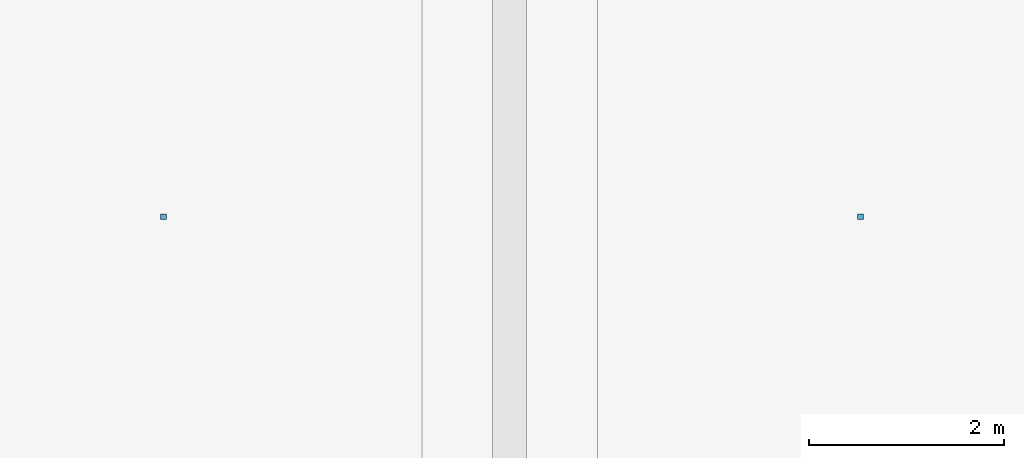
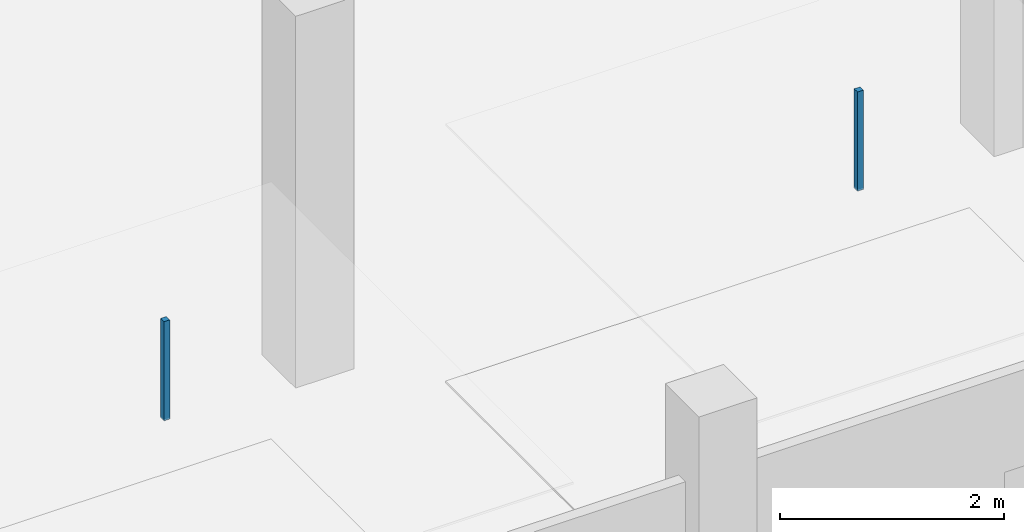
# One storey, part 94 of 108: 2 discrete accessories.
"""IFC4 building model written with IfcOpenShell, lengths in metres."""

import ifcopenshell
import ifcopenshell.guid

model = None  # the IFC model being written
_history = None  # IfcOwnerHistory: only IFC2X3 demands one
_inside = {}  # id of a spatial element -> (the spatial element, [elements in it])
_under = {}  # id of a project, library or spatial element -> (it, [spatial elements below it])
_declared = {}  # id of a project -> (the project, [libraries it declares])
_typed = {}  # id of a type object -> (the type object, [elements of that type])
_made_of = {}  # id of a material, layer set ... -> (it, [elements and type objects made of it])


def new_model(schema):
    """Start an empty IFC model of exactly this schema.

    Asked for "IFC4X3", IfcOpenShell would pick the latest addendum, in which some entities
    have other attributes; the version numbers below select the first issue.
    IFC2X3 requires an IfcOwnerHistory on every rooted entity: one is made here for all.
    """
    global model, _history
    if schema == "IFC4X3":
        model = ifcopenshell.file(schema_version=(4, 3, 0, 0))
    else:
        model = ifcopenshell.file(schema=schema)
    _inside.clear()
    _under.clear()
    _declared.clear()
    _typed.clear()
    _made_of.clear()
    _history = None
    if model.schema == "IFC2X3":
        org = make("IfcOrganization", Name="unknown")
        user = make(
            "IfcPersonAndOrganization",
            ThePerson=make("IfcPerson", FamilyName="unknown"),
            TheOrganization=org,
        )
        app = make(
            "IfcApplication",
            ApplicationDeveloper=org,
            Version="unknown",
            ApplicationFullName="unknown",
            ApplicationIdentifier="unknown",
        )
        _history = make(
            "IfcOwnerHistory",
            OwningUser=user,
            OwningApplication=app,
            ChangeAction="ADDED",
            CreationDate=0,
        )
    return model


def make(cls, **values):
    """One entity of the class cls with the attributes given. An attribute that is None is left unset."""
    return model.create_entity(
        cls, **{name: value for name, value in values.items() if value is not None}
    )


def rooted(cls, **values):
    """An entity with a GlobalId (a new one), such as an element, a storey or a relation."""
    return make(cls, GlobalId=ifcopenshell.guid.new(), OwnerHistory=_history, **values)


def si_unit(unit_type, name, prefix=None):
    """IfcSIUnit, for example si_unit("LENGTHUNIT", "METRE", prefix="MILLI")."""
    return make("IfcSIUnit", UnitType=unit_type, Prefix=prefix, Name=name)


def assignment(units):
    """IfcUnitAssignment: the units of a project."""
    return None if units is None else make("IfcUnitAssignment", Units=units)


def point(xyz):
    """IfcCartesianPoint."""
    return None if xyz is None else make("IfcCartesianPoint", Coordinates=xyz)


def direction(xyz):
    """IfcDirection."""
    return None if xyz is None else make("IfcDirection", DirectionRatios=xyz)


def frame(location, z_axis=None, x_axis=None):
    """IfcAxis2Placement3D, a coordinate frame: its origin and axes. An axis left out is left unset."""
    return make(
        "IfcAxis2Placement3D",
        Location=point(location),
        Axis=direction(z_axis),
        RefDirection=direction(x_axis),
    )


def frame_2d(location, x_axis=None):
    """IfcAxis2Placement2D, a coordinate frame in the plane: its origin and x axis."""
    return make(
        "IfcAxis2Placement2D", Location=point(location), RefDirection=direction(x_axis)
    )


def origin():
    """The frame at (0, 0, 0) with its axes left unset."""
    return frame((0.0, 0.0, 0.0))


def origin_2d():
    """The frame at (0, 0) in the plane with its x axis left unset."""
    return frame_2d((0.0, 0.0))


def place(relative_to, where):
    """IfcLocalPlacement: puts the frame where relative to a parent placement (None: the world)."""
    return make(
        "IfcLocalPlacement", PlacementRelTo=relative_to, RelativePlacement=where
    )


def context(
    kind, dimensions, precision=None, world=None, true_north=None, identifier=None
):
    """IfcGeometricRepresentationContext, for example the 3D "Model" context."""
    return make(
        "IfcGeometricRepresentationContext",
        ContextIdentifier=identifier,
        ContextType=kind,
        CoordinateSpaceDimension=dimensions,
        Precision=precision,
        WorldCoordinateSystem=world,
        TrueNorth=true_north,
    )


def subcontext(parent, identifier, kind, view, scale=None):
    """IfcGeometricRepresentationSubContext, for example "Body" below "Model"."""
    return make(
        "IfcGeometricRepresentationSubContext",
        ContextIdentifier=identifier,
        ContextType=kind,
        ParentContext=parent,
        TargetScale=scale,
        TargetView=view,
    )


def project(units=None, contexts=None):
    """IfcProject with its units and contexts."""
    return rooted(
        "IfcProject",
        Name="project",
        RepresentationContexts=contexts,
        UnitsInContext=assignment(units),
    )


def spatial(cls, under=None, at=None, **own):
    """A site, building, storey or space (cls), placed at a placement, below another one or the project."""
    s = rooted(cls, ObjectPlacement=at, **own)
    if under is not None:
        _under.setdefault(under.id(), (under, []))[1].append(s)
    return s


def profile(cls, at=None, kind="AREA", **sizes):
    """A parametric profile (cls). Its sizes go by their IFC names, for example OverallWidth=200.0."""
    return make(cls, ProfileType=kind, Position=at, **sizes)


def rectangle(**sizes):
    """IfcRectangleProfileDef."""
    return profile("IfcRectangleProfileDef", **sizes)


def extrude(swept, where, along, depth):
    """IfcExtrudedAreaSolid: the profile swept, set in the frame where, extruded along a direction by depth."""
    return make(
        "IfcExtrudedAreaSolid",
        SweptArea=swept,
        Position=where,
        ExtrudedDirection=direction(along),
        Depth=depth,
    )


def shape(context_of_items, identifier, shape_type, items):
    """IfcShapeRepresentation: the items that make up one representation, for example the "Body"."""
    return make(
        "IfcShapeRepresentation",
        ContextOfItems=context_of_items,
        RepresentationIdentifier=identifier,
        RepresentationType=shape_type,
        Items=items,
    )


def material(Name=None, Category=None):
    """IfcMaterial."""
    return make("IfcMaterial", Name=Name, Category=Category)


def made_of(thing, what):
    """Note that an element or type object is made of a material, layer set ...; save() writes the relation."""
    if what is not None:
        _made_of.setdefault(what.id(), (what, []))[1].append(thing)
    return thing


def type_object(cls, material=None, **own):
    """A type object (cls), such as IfcWallType, which elements share."""
    return made_of(rooted(cls, **own), material)


def element(
    cls,
    number,
    at=None,
    inside=None,
    cuts=None,
    type_object=None,
    material=None,
    context=None,
    identifier="Body",
    shape_type=None,
    held_by="IfcProductDefinitionShape",
    body=None,
    shapes=None,
    **own,
):
    """One element of the class cls, such as IfcWall. Its Tag is "e" and its number.

    at: its placement. inside: the storey or other place that contains it. cuts: it is an
    opening in that element (IfcRelVoidsElement). A single representation is given by context,
    identifier, shape_type and body (its items); several are given by shapes. held_by: the class
    of the entity that holds the representations. save() writes the other relations.
    """
    e = rooted(cls, Tag="e%d" % number, ObjectPlacement=at, **own)
    if body is not None:
        shapes = [shape(context, identifier, shape_type, body)]
    if shapes is not None:
        e.Representation = make(held_by, Representations=shapes)
    if inside is not None:
        _inside.setdefault(inside.id(), (inside, []))[1].append(e)
    if cuts is not None:
        rooted(
            "IfcRelVoidsElement", RelatingBuildingElement=cuts, RelatedOpeningElement=e
        )
    if type_object is not None:
        _typed.setdefault(type_object.id(), (type_object, []))[1].append(e)
    return made_of(e, material)


def aggregate(whole, parts):
    """IfcRelAggregates: a whole, such as a stair, and the parts it consists of."""
    return rooted("IfcRelAggregates", RelatingObject=whole, RelatedObjects=parts)


def save(model, path):
    """Write the relations noted so far, then the file.

    IfcRelAggregates (storeys below a building ...), IfcRelContainedInSpatialStructure (elements
    in a storey), IfcRelDefinesByType, IfcRelAssociatesMaterial and IfcRelDeclares: one each for
    every whole, place, type object, material and project.
    """
    for whole, parts in _under.values():
        aggregate(whole, parts)
    for where, things in _inside.values():
        rooted(
            "IfcRelContainedInSpatialStructure",
            RelatedElements=things,
            RelatingStructure=where,
        )
    for kind, things in _typed.values():
        rooted("IfcRelDefinesByType", RelatedObjects=things, RelatingType=kind)
    for what, things in _made_of.values():
        rooted("IfcRelAssociatesMaterial", RelatedObjects=things, RelatingMaterial=what)
    for by, libraries in _declared.values():
        rooted("IfcRelDeclares", RelatingContext=by, RelatedDefinitions=libraries)
    model.write(path)


model = new_model("IFC4")

# Units and contexts
model_context = context("Model", 3, precision=1e-05, world=origin(), true_north=direction((0.0, 1.0)))
body_context = subcontext(model_context, "Body", "Model", "MODEL_VIEW")
ifc_project = project(units=[si_unit("LENGTHUNIT", "METRE"), si_unit("AREAUNIT", "SQUARE_METRE"), si_unit("VOLUMEUNIT", "CUBIC_METRE"), si_unit("PLANEANGLEUNIT", "RADIAN"), si_unit("MASSUNIT", "GRAM", prefix="KILO")], contexts=[model_context])

# Site, building, storey
site_placement = place(None, origin())
site = spatial("IfcSite", under=ifc_project, at=site_placement, CompositionType="ELEMENT")
building_placement = place(site_placement, origin())
building = spatial("IfcBuilding", under=site, at=building_placement, Name="Kangsadwip Square Police Headquarters", CompositionType="ELEMENT")
storey_placement = place(building_placement, frame((0.0, 0.0, 9.449951171875)))
storey = spatial("IfcBuildingStorey", under=building, at=storey_placement, Name="L02", CompositionType="ELEMENT", Elevation=9.449951171875)

# Discrete accessories
ifc_material = material(Name="Structural steel IS 2062 E350 (Grade 350, 350 MPa)", Category="steel")
discrete_accessory_type = type_object("IfcDiscreteAccessoryType", Name="VeilOutriggerBracket", PredefinedType="BRACKET", material=ifc_material)
for number, where, z_axis, x_axis, name in (
    (1, (3.64990234375, 104.39990234375, 2.81005859375), (0.0, 0.0, 1.0), (1.0, 0.0, 0.0), "Ceiling Suspension Hanger L02-064"),
    (2, (10.800048828125, 104.39990234375, 2.81005859375), (0.0, 0.0, 1.0), (1.0, 0.0, 0.0), "Ceiling Suspension Hanger L02-065"),
):
    element("IfcDiscreteAccessory", number, at=place(storey_placement, frame(where, z_axis=z_axis, x_axis=x_axis)), inside=storey, type_object=discrete_accessory_type, Name=name, PredefinedType="BRACKET", context=body_context, shape_type="SweptSolid", body=[
        extrude(rectangle(XDim=0.06005859375, YDim=0.06005859375, at=origin_2d()), origin(), (0.0, 0.0, 1.0), 1.080078125),
    ])

save(model, "model.ifc")
